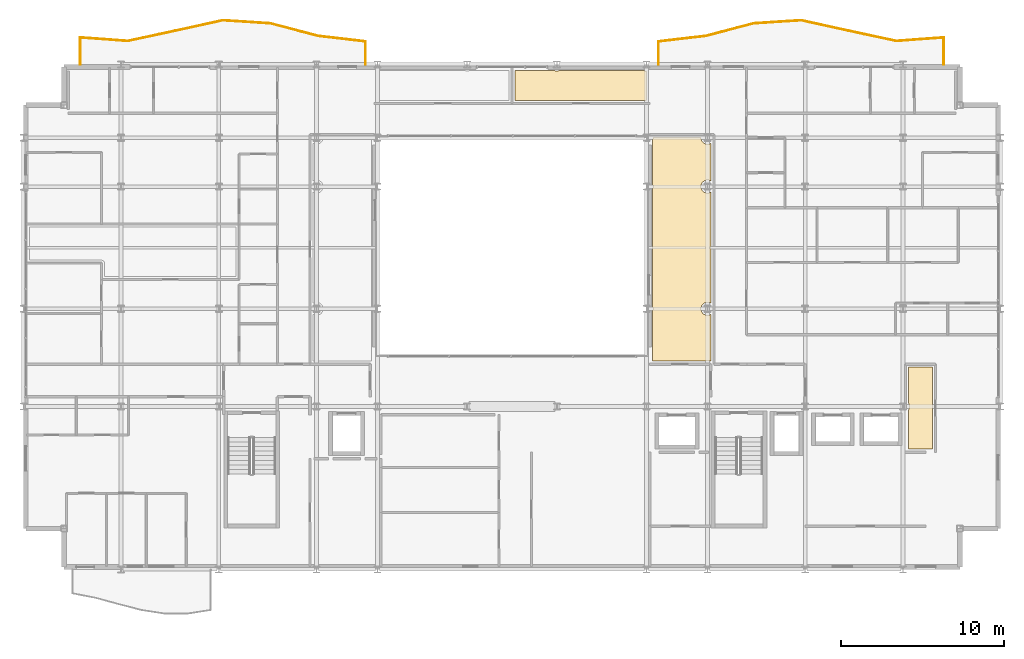
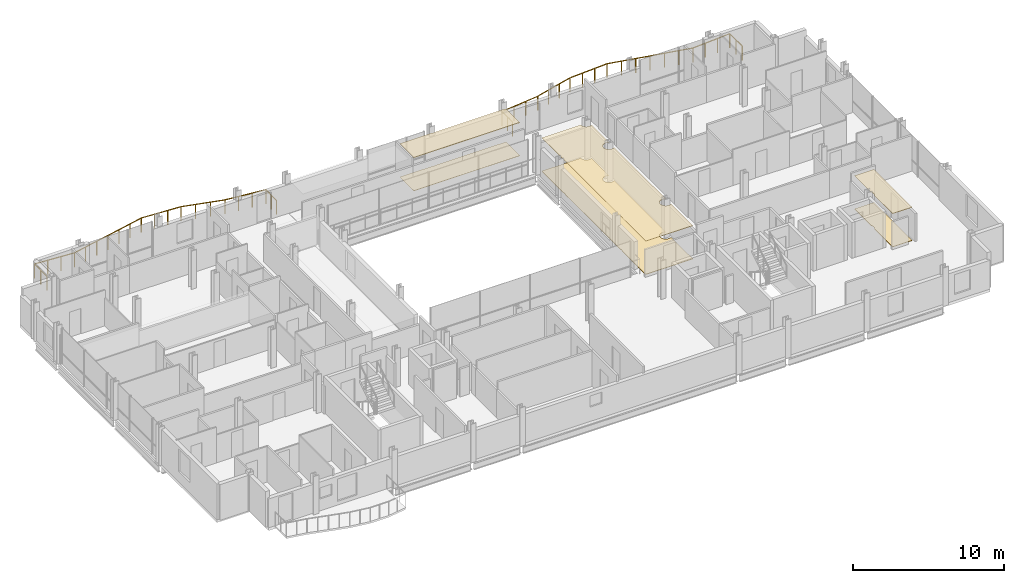
# One storey, part 41 of 41: 6 coverings, 2 railings.
"""IFC4 building model written with IfcOpenShell, lengths in metres."""

from ifc_helpers import new_model, si_unit, direction, frame, origin, origin_2d, place, context, subcontext, project, spatial, polyline, circle, outline, extrude, material, layer, layer_set, type_object, element, save


model = new_model("IFC4")

# Units and contexts
model_context = context("Model", 3, precision=1e-05, world=origin(), true_north=direction((0.0, 1.0)))
body_context = subcontext(model_context, "Body", "Model", "MODEL_VIEW")
ifc_project = project(units=[si_unit("LENGTHUNIT", "METRE"), si_unit("AREAUNIT", "SQUARE_METRE"), si_unit("VOLUMEUNIT", "CUBIC_METRE"), si_unit("PLANEANGLEUNIT", "RADIAN"), si_unit("MASSUNIT", "GRAM", prefix="KILO")], contexts=[model_context])

# Site, building, storey
site_placement = place(None, origin())
site = spatial("IfcSite", under=ifc_project, at=site_placement, CompositionType="ELEMENT")
building_placement = place(site_placement, origin())
building = spatial("IfcBuilding", under=site, at=building_placement, Name="Brevholm Reach", CompositionType="ELEMENT")
storey_placement = place(building_placement, frame((0.0, 0.0, 163.5)))
storey = spatial("IfcBuildingStorey", under=building, at=storey_placement, Name="L49", CompositionType="ELEMENT", Elevation=163.5)

# Coverings
ifc_material_1 = material(Name="Perforated Mineral-Fibre Class-A Acoustic Suspended Ceiling", Category="gypsum")
ifc_layer_1 = layer(ifc_material_1, 0.044921875)
ifc_layer_set_1 = layer_set([ifc_layer_1], Name="Perforated Mineral-Fibre Class-A Acoustic Suspended Ceiling")
covering_type_1 = type_object("IfcCoveringType", Name="COV-CLG-AC", PredefinedType="CEILING", material=ifc_layer_set_1)
covering_1_placement = place(storey_placement, frame((0.0, 0.0, 2.6650390625)))
element("IfcCovering", 1, at=covering_1_placement, inside=storey, type_object=covering_type_1, Name="L49 Suspended Ceiling L49-61", PredefinedType="CEILING", context=body_context, shape_type="SweptSolid", body=[
    extrude(outline(polyline([(32.626220703125, 30.6201171875), (32.6337890625, 30.6171875), (32.672119140625, 30.607666015625), (32.710693359375, 30.601806640625), (32.75, 30.60009765625), (32.789306640625, 30.601806640625), (32.827880859375, 30.607666015625), (32.8662109375, 30.6171875), (32.873779296875, 30.6201171875), (38.126220703125, 30.6201171875), (38.1337890625, 30.6171875), (38.172119140625, 30.607666015625), (38.210693359375, 30.601806640625), (38.25, 30.60009765625), (38.26611328125, 30.600830078125), (38.26611328125, 28.783935546875), (30.18408203125, 28.783935546875), (30.18408203125, 30.6201171875), (32.626220703125, 30.6201171875)])), origin(), (0.0, 0.0, 1.0), 0.044921875),
])
ifc_material_2 = material(Name="Moisture-Resistant Skimmed Gypsum Plasterboard Ceiling", Category="gypsum")
ifc_layer_2 = layer(ifc_material_2, 0.030029296875)
ifc_layer_set_2 = layer_set([ifc_layer_2], Name="Moisture-Resistant Skimmed Gypsum Plasterboard Ceiling")
covering_type_2 = type_object("IfcCoveringType", Name="COV-CLG-GYP", PredefinedType="CEILING", material=ifc_layer_set_2)
covering_2_placement = place(storey_placement, frame((0.0, 0.0, 2.679931640625)))
element("IfcCovering", 2, at=covering_2_placement, inside=storey, type_object=covering_type_2, Name="L49 Suspended Ceiling L49-22", PredefinedType="CEILING", context=body_context, shape_type="SweptSolid", body=[
    extrude(outline(polyline([(54.330078125, 9.7626953125), (54.33056640625, 9.764892578125), (54.33251953125, 9.777587890625), (54.33251953125, 9.77783203125), (54.352783203125, 9.811279296875), (54.36962890625, 9.846923828125), (54.3828125, 9.8837890625), (54.392333984375, 9.922119140625), (54.398193359375, 9.960693359375), (54.39990234375, 10.0), (54.398193359375, 10.039306640625), (54.392333984375, 10.077880859375), (54.3828125, 10.1162109375), (54.36962890625, 10.153076171875), (54.352783203125, 10.188720703125), (54.333984375, 10.219970703125), (54.333984375, 12.419921875), (55.81591796875, 12.419921875), (55.81591796875, 7.3798828125), (55.437255859375, 7.3798828125), (55.43505859375, 7.380615234375), (55.41748046875, 7.383056640625), (55.39990234375, 7.384033203125), (54.330078125, 7.384033203125), (54.330078125, 9.7626953125)])), origin(), (0.0, 0.0, 1.0), 0.030029296875),
])
covering_3_placement = place(storey_placement, frame((0.0, 0.0, 2.679931640625)))
element("IfcCovering", 3, at=covering_3_placement, inside=storey, type_object=covering_type_2, Name="L49 Suspended Ceiling L49-56", PredefinedType="CEILING", context=body_context, shape_type="SweptSolid", body=[
    extrude(outline(polyline([(38.6298828125, 15.876220703125), (38.6328125, 15.8837890625), (38.642333984375, 15.922119140625), (38.648193359375, 15.960693359375), (38.64990234375, 16.0), (38.648193359375, 16.039306640625), (38.642333984375, 16.077880859375), (38.6328125, 16.1162109375), (38.6298828125, 16.123779296875), (38.6298828125, 23.376220703125), (38.6328125, 23.3837890625), (38.642333984375, 23.422119140625), (38.648193359375, 23.460693359375), (38.64990234375, 23.5), (38.648193359375, 23.539306640625), (38.642333984375, 23.577880859375), (38.6328125, 23.6162109375), (38.6298828125, 23.623779296875), (38.6298828125, 26.376220703125), (38.6328125, 26.3837890625), (38.642333984375, 26.422119140625), (38.648193359375, 26.460693359375), (38.64990234375, 26.5), (38.649169921875, 26.51611328125), (41.600830078125, 26.51611328125), (41.60009765625, 26.5), (41.601806640625, 26.460693359375), (41.607666015625, 26.422119140625), (41.6171875, 26.3837890625), (41.63037109375, 26.346923828125), (41.647216796875, 26.311279296875), (41.66748046875, 26.27783203125), (41.69091796875, 26.24609375), (41.71728515625, 26.21728515625), (41.74609375, 26.19091796875), (41.77783203125, 26.16748046875), (41.811279296875, 26.147216796875), (41.846923828125, 26.13037109375), (41.8837890625, 26.1171875), (41.922119140625, 26.107666015625), (41.960693359375, 26.101806640625), (42.0, 26.10009765625), (42.039306640625, 26.101806640625), (42.077880859375, 26.107666015625), (42.1162109375, 26.1171875), (42.153076171875, 26.13037109375), (42.188720703125, 26.147216796875), (42.216064453125, 26.163818359375), (42.216064453125, 23.836181640625), (42.188720703125, 23.852783203125), (42.153076171875, 23.86962890625), (42.1162109375, 23.8828125), (42.077880859375, 23.892333984375), (42.039306640625, 23.898193359375), (42.0, 23.89990234375), (41.960693359375, 23.898193359375), (41.922119140625, 23.892333984375), (41.8837890625, 23.8828125), (41.846923828125, 23.86962890625), (41.811279296875, 23.852783203125), (41.77783203125, 23.83251953125), (41.74609375, 23.80908203125), (41.71728515625, 23.78271484375), (41.69091796875, 23.75390625), (41.66748046875, 23.72216796875), (41.647216796875, 23.688720703125), (41.63037109375, 23.653076171875), (41.6171875, 23.6162109375), (41.607666015625, 23.577880859375), (41.601806640625, 23.539306640625), (41.60009765625, 23.5), (41.601806640625, 23.460693359375), (41.607666015625, 23.422119140625), (41.6171875, 23.3837890625), (41.63037109375, 23.346923828125), (41.647216796875, 23.311279296875), (41.66748046875, 23.27783203125), (41.69091796875, 23.24609375), (41.71728515625, 23.21728515625), (41.74609375, 23.19091796875), (41.77783203125, 23.16748046875), (41.811279296875, 23.147216796875), (41.846923828125, 23.13037109375), (41.8837890625, 23.1171875), (41.922119140625, 23.107666015625), (41.960693359375, 23.101806640625), (42.0, 23.10009765625), (42.039306640625, 23.101806640625), (42.077880859375, 23.107666015625), (42.1162109375, 23.1171875), (42.153076171875, 23.13037109375), (42.188720703125, 23.147216796875), (42.216064453125, 23.163818359375), (42.216064453125, 16.336181640625), (42.188720703125, 16.352783203125), (42.153076171875, 16.36962890625), (42.1162109375, 16.3828125), (42.077880859375, 16.392333984375), (42.039306640625, 16.398193359375), (42.0, 16.39990234375), (41.960693359375, 16.398193359375), (41.922119140625, 16.392333984375), (41.8837890625, 16.3828125), (41.846923828125, 16.36962890625), (41.811279296875, 16.352783203125), (41.77783203125, 16.33251953125), (41.74609375, 16.30908203125), (41.71728515625, 16.28271484375), (41.69091796875, 16.25390625), (41.66748046875, 16.22216796875), (41.647216796875, 16.188720703125), (41.63037109375, 16.153076171875), (41.6171875, 16.1162109375), (41.607666015625, 16.077880859375), (41.601806640625, 16.039306640625), (41.60009765625, 16.0), (41.601806640625, 15.960693359375), (41.607666015625, 15.922119140625), (41.6171875, 15.8837890625), (41.63037109375, 15.846923828125), (41.647216796875, 15.811279296875), (41.66748046875, 15.77783203125), (41.69091796875, 15.74609375), (41.71728515625, 15.71728515625), (41.74609375, 15.69091796875), (41.77783203125, 15.66748046875), (41.811279296875, 15.647216796875), (41.846923828125, 15.63037109375), (41.8837890625, 15.6171875), (41.922119140625, 15.607666015625), (41.960693359375, 15.601806640625), (42.0, 15.60009765625), (42.039306640625, 15.601806640625), (42.077880859375, 15.607666015625), (42.1162109375, 15.6171875), (42.153076171875, 15.63037109375), (42.188720703125, 15.647216796875), (42.216064453125, 15.663818359375), (42.216064453125, 12.783935546875), (38.6298828125, 12.783935546875), (38.6298828125, 15.876220703125)])), origin(), (0.0, 0.0, 1.0), 0.030029296875),
])
ifc_material_3 = material(Name="Engineered European Oak Acoustic Plank Flooring", Category="timber")
ifc_layer_3 = layer(ifc_material_3, 0.02197265625)
ifc_layer_set_3 = layer_set([ifc_layer_3], Name="Engineered European Oak Acoustic Plank Flooring")
covering_type_3 = type_object("IfcCoveringType", Name="COV-FLR-OAK", PredefinedType="FLOORING", material=ifc_layer_set_3)
covering_4_placement = place(storey_placement, origin())
element("IfcCovering", 4, at=covering_4_placement, inside=storey, type_object=covering_type_3, Name="L49 Floor Finish L49-61", PredefinedType="FLOORING", context=body_context, shape_type="SweptSolid", body=[
    extrude(outline(polyline([(32.626220703125, 30.6201171875), (32.6337890625, 30.6171875), (32.672119140625, 30.607666015625), (32.710693359375, 30.601806640625), (32.75, 30.60009765625), (32.789306640625, 30.601806640625), (32.827880859375, 30.607666015625), (32.8662109375, 30.6171875), (32.873779296875, 30.6201171875), (38.126220703125, 30.6201171875), (38.1337890625, 30.6171875), (38.172119140625, 30.607666015625), (38.210693359375, 30.601806640625), (38.25, 30.60009765625), (38.26611328125, 30.600830078125), (38.26611328125, 28.783935546875), (30.18408203125, 28.783935546875), (30.18408203125, 30.6201171875), (32.626220703125, 30.6201171875)])), origin(), (0.0, 0.0, 1.0), 0.02197265625),
])
ifc_material_4 = material(Name="Honed Portland-Aggregate Resin Terrazzo Flooring", Category="concrete")
ifc_layer_4 = layer(ifc_material_4, 0.031982421875)
ifc_layer_set_4 = layer_set([ifc_layer_4], Name="Honed Portland-Aggregate Resin Terrazzo Flooring")
covering_type_4 = type_object("IfcCoveringType", Name="COV-FLR-TRZ", PredefinedType="FLOORING", material=ifc_layer_set_4)
covering_5_placement = place(storey_placement, origin())
element("IfcCovering", 5, at=covering_5_placement, inside=storey, type_object=covering_type_4, Name="L49 Floor Finish L49-22", PredefinedType="FLOORING", context=body_context, shape_type="SweptSolid", body=[
    extrude(outline(polyline([(54.330078125, 9.7626953125), (54.33056640625, 9.764892578125), (54.33251953125, 9.777587890625), (54.33251953125, 9.77783203125), (54.352783203125, 9.811279296875), (54.36962890625, 9.846923828125), (54.3828125, 9.8837890625), (54.392333984375, 9.922119140625), (54.398193359375, 9.960693359375), (54.39990234375, 10.0), (54.398193359375, 10.039306640625), (54.392333984375, 10.077880859375), (54.3828125, 10.1162109375), (54.36962890625, 10.153076171875), (54.352783203125, 10.188720703125), (54.333984375, 10.219970703125), (54.333984375, 12.419921875), (55.81591796875, 12.419921875), (55.81591796875, 7.3798828125), (55.437255859375, 7.3798828125), (55.43505859375, 7.380615234375), (55.41748046875, 7.383056640625), (55.39990234375, 7.384033203125), (54.330078125, 7.384033203125), (54.330078125, 9.7626953125)])), origin(), (0.0, 0.0, 1.0), 0.031982421875),
])
covering_6_placement = place(storey_placement, origin())
element("IfcCovering", 6, at=covering_6_placement, inside=storey, type_object=covering_type_4, Name="L49 Floor Finish L49-56", PredefinedType="FLOORING", context=body_context, shape_type="SweptSolid", body=[
    extrude(outline(polyline([(38.6298828125, 15.876220703125), (38.6328125, 15.8837890625), (38.642333984375, 15.922119140625), (38.648193359375, 15.960693359375), (38.64990234375, 16.0), (38.648193359375, 16.039306640625), (38.642333984375, 16.077880859375), (38.6328125, 16.1162109375), (38.6298828125, 16.123779296875), (38.6298828125, 23.376220703125), (38.6328125, 23.3837890625), (38.642333984375, 23.422119140625), (38.648193359375, 23.460693359375), (38.64990234375, 23.5), (38.648193359375, 23.539306640625), (38.642333984375, 23.577880859375), (38.6328125, 23.6162109375), (38.6298828125, 23.623779296875), (38.6298828125, 26.376220703125), (38.6328125, 26.3837890625), (38.642333984375, 26.422119140625), (38.648193359375, 26.460693359375), (38.64990234375, 26.5), (38.649169921875, 26.51611328125), (41.600830078125, 26.51611328125), (41.60009765625, 26.5), (41.601806640625, 26.460693359375), (41.607666015625, 26.422119140625), (41.6171875, 26.3837890625), (41.63037109375, 26.346923828125), (41.647216796875, 26.311279296875), (41.66748046875, 26.27783203125), (41.69091796875, 26.24609375), (41.71728515625, 26.21728515625), (41.74609375, 26.19091796875), (41.77783203125, 26.16748046875), (41.811279296875, 26.147216796875), (41.846923828125, 26.13037109375), (41.8837890625, 26.1171875), (41.922119140625, 26.107666015625), (41.960693359375, 26.101806640625), (42.0, 26.10009765625), (42.039306640625, 26.101806640625), (42.077880859375, 26.107666015625), (42.1162109375, 26.1171875), (42.153076171875, 26.13037109375), (42.188720703125, 26.147216796875), (42.216064453125, 26.163818359375), (42.216064453125, 23.836181640625), (42.188720703125, 23.852783203125), (42.153076171875, 23.86962890625), (42.1162109375, 23.8828125), (42.077880859375, 23.892333984375), (42.039306640625, 23.898193359375), (42.0, 23.89990234375), (41.960693359375, 23.898193359375), (41.922119140625, 23.892333984375), (41.8837890625, 23.8828125), (41.846923828125, 23.86962890625), (41.811279296875, 23.852783203125), (41.77783203125, 23.83251953125), (41.74609375, 23.80908203125), (41.71728515625, 23.78271484375), (41.69091796875, 23.75390625), (41.66748046875, 23.72216796875), (41.647216796875, 23.688720703125), (41.63037109375, 23.653076171875), (41.6171875, 23.6162109375), (41.607666015625, 23.577880859375), (41.601806640625, 23.539306640625), (41.60009765625, 23.5), (41.601806640625, 23.460693359375), (41.607666015625, 23.422119140625), (41.6171875, 23.3837890625), (41.63037109375, 23.346923828125), (41.647216796875, 23.311279296875), (41.66748046875, 23.27783203125), (41.69091796875, 23.24609375), (41.71728515625, 23.21728515625), (41.74609375, 23.19091796875), (41.77783203125, 23.16748046875), (41.811279296875, 23.147216796875), (41.846923828125, 23.13037109375), (41.8837890625, 23.1171875), (41.922119140625, 23.107666015625), (41.960693359375, 23.101806640625), (42.0, 23.10009765625), (42.039306640625, 23.101806640625), (42.077880859375, 23.107666015625), (42.1162109375, 23.1171875), (42.153076171875, 23.13037109375), (42.188720703125, 23.147216796875), (42.216064453125, 23.163818359375), (42.216064453125, 16.336181640625), (42.188720703125, 16.352783203125), (42.153076171875, 16.36962890625), (42.1162109375, 16.3828125), (42.077880859375, 16.392333984375), (42.039306640625, 16.398193359375), (42.0, 16.39990234375), (41.960693359375, 16.398193359375), (41.922119140625, 16.392333984375), (41.8837890625, 16.3828125), (41.846923828125, 16.36962890625), (41.811279296875, 16.352783203125), (41.77783203125, 16.33251953125), (41.74609375, 16.30908203125), (41.71728515625, 16.28271484375), (41.69091796875, 16.25390625), (41.66748046875, 16.22216796875), (41.647216796875, 16.188720703125), (41.63037109375, 16.153076171875), (41.6171875, 16.1162109375), (41.607666015625, 16.077880859375), (41.601806640625, 16.039306640625), (41.60009765625, 16.0), (41.601806640625, 15.960693359375), (41.607666015625, 15.922119140625), (41.6171875, 15.8837890625), (41.63037109375, 15.846923828125), (41.647216796875, 15.811279296875), (41.66748046875, 15.77783203125), (41.69091796875, 15.74609375), (41.71728515625, 15.71728515625), (41.74609375, 15.69091796875), (41.77783203125, 15.66748046875), (41.811279296875, 15.647216796875), (41.846923828125, 15.63037109375), (41.8837890625, 15.6171875), (41.922119140625, 15.607666015625), (41.960693359375, 15.601806640625), (42.0, 15.60009765625), (42.039306640625, 15.601806640625), (42.077880859375, 15.607666015625), (42.1162109375, 15.6171875), (42.153076171875, 15.63037109375), (42.188720703125, 15.647216796875), (42.216064453125, 15.663818359375), (42.216064453125, 12.783935546875), (38.6298828125, 12.783935546875), (38.6298828125, 15.876220703125)])), origin(), (0.0, 0.0, 1.0), 0.031982421875),
])

# Railings
ifc_material_5 = material(Name="Brushed Stainless Steel EN 1.4401 and Laminated Glass", Category="steel")
railing_type = type_object("IfcRailingType", Name="RAL-BALC-1150", PredefinedType="BALUSTRADE", material=ifc_material_5)
railing_1_placement = place(storey_placement, frame((56.5, 31.0, 0.0)))
element("IfcRailing", 7, at=railing_1_placement, inside=storey, type_object=railing_type, Name="L49 Guard Balustrade RAL-L49-BAL-NE", PredefinedType="BALUSTRADE", context=body_context, shape_type="SweptSolid", body=[
    extrude(circle(Radius=0.02392578125, at=origin_2d()), frame((0.0, 0.0, 1.1259765625), z_axis=(0.0, 1.0, 0.0), x_axis=(-1.0, 0.0, 0.0)), (0.0, 0.0, 1.0), 1.650146484375),
    extrude(circle(Radius=0.02392578125, at=origin_2d()), frame((0.0, 1.650146484375, 1.1259765625), z_axis=(-0.997334760815, -0.072961461535, 0.0), x_axis=(0.072961461535, -0.997334760815, 0.0)), (0.0, 0.0, 1.0), 2.924560546875),
    extrude(circle(Radius=0.02392578125, at=origin_2d()), frame((-2.916748046875, 1.436767578125, 1.1259765625), z_axis=(-0.977699293222, 0.21000974271, 0.0), x_axis=(-0.21000974271, -0.977699293222, 0.0)), (0.0, 0.0, 1.0), 2.98291015625),
    extrude(circle(Radius=0.02392578125, at=origin_2d()), frame((-5.833251953125, 2.063232421875, 1.1259765625), z_axis=(-0.976633143635, 0.214913244715, 0.0), x_axis=(-0.214913244715, -0.976633143635, 0.0)), (0.0, 0.0, 1.0), 2.986572265625),
    extrude(circle(Radius=0.02392578125, at=origin_2d()), frame((-8.75, 2.705078125, 1.1259765625), z_axis=(-0.997945514781, -0.06406831923, 0.0), x_axis=(0.06406831923, -0.997945514781, 0.0)), (0.0, 0.0, 1.0), 2.9228515625),
    extrude(circle(Radius=0.02392578125, at=origin_2d()), frame((-11.666748046875, 2.517822265625, 1.1259765625), z_axis=(-0.966868735292, -0.255274065889, 0.0), x_axis=(0.255274065889, -0.966868735292, 0.0)), (0.0, 0.0, 1.0), 3.016357421875),
    extrude(circle(Radius=0.02392578125, at=origin_2d()), frame((-14.583251953125, 1.747802734375, 1.1259765625), z_axis=(-0.99329006652, -0.11564965954, 0.0), x_axis=(0.11564965954, -0.99329006652, 0.0)), (0.0, 0.0, 1.0), 2.9365234375),
    extrude(circle(Radius=0.02392578125, at=origin_2d()), frame((-17.5, 1.408203125, 1.1259765625), z_axis=(0.0, -1.0, 0.0), x_axis=(1.0, 0.0, 0.0)), (0.0, 0.0, 1.0), 1.408203125),
    extrude(circle(Radius=0.02099609375, at=origin_2d()), origin(), (0.0, 0.0, 1.0), 1.101806640625),
    extrude(circle(Radius=0.02099609375, at=origin_2d()), frame((0.0, 0.8251953125, 0.0)), (0.0, 0.0, 1.0), 1.101806640625),
    extrude(circle(Radius=0.02099609375, at=origin_2d()), frame((0.0, 1.650146484375, 0.0)), (0.0, 0.0, 1.0), 1.101806640625),
    extrude(circle(Radius=0.02099609375, at=origin_2d()), frame((-0.97216796875, 1.5791015625, 0.0)), (0.0, 0.0, 1.0), 1.101806640625),
    extrude(circle(Radius=0.02099609375, at=origin_2d()), frame((-1.944580078125, 1.5078125, 0.0)), (0.0, 0.0, 1.0), 1.101806640625),
    extrude(circle(Radius=0.02099609375, at=origin_2d()), frame((-2.916748046875, 1.436767578125, 0.0)), (0.0, 0.0, 1.0), 1.101806640625),
    extrude(circle(Radius=0.02099609375, at=origin_2d()), frame((-3.888916015625, 1.6455078125, 0.0)), (0.0, 0.0, 1.0), 1.101806640625),
    extrude(circle(Radius=0.02099609375, at=origin_2d()), frame((-4.861083984375, 1.8544921875, 0.0)), (0.0, 0.0, 1.0), 1.101806640625),
    extrude(circle(Radius=0.02099609375, at=origin_2d()), frame((-5.833251953125, 2.063232421875, 0.0)), (0.0, 0.0, 1.0), 1.101806640625),
    extrude(circle(Radius=0.02099609375, at=origin_2d()), frame((-6.805419921875, 2.277099609375, 0.0)), (0.0, 0.0, 1.0), 1.101806640625),
    extrude(circle(Radius=0.02099609375, at=origin_2d()), frame((-7.77783203125, 2.4912109375, 0.0)), (0.0, 0.0, 1.0), 1.101806640625),
    extrude(circle(Radius=0.02099609375, at=origin_2d()), frame((-8.75, 2.705078125, 0.0)), (0.0, 0.0, 1.0), 1.101806640625),
    extrude(circle(Radius=0.02099609375, at=origin_2d()), frame((-9.72216796875, 2.642578125, 0.0)), (0.0, 0.0, 1.0), 1.101806640625),
    extrude(circle(Radius=0.02099609375, at=origin_2d()), frame((-10.694580078125, 2.580322265625, 0.0)), (0.0, 0.0, 1.0), 1.101806640625),
    extrude(circle(Radius=0.02099609375, at=origin_2d()), frame((-11.666748046875, 2.517822265625, 0.0)), (0.0, 0.0, 1.0), 1.101806640625),
    extrude(circle(Radius=0.02099609375, at=origin_2d()), frame((-12.638916015625, 2.26123046875, 0.0)), (0.0, 0.0, 1.0), 1.101806640625),
    extrude(circle(Radius=0.02099609375, at=origin_2d()), frame((-13.611083984375, 2.00439453125, 0.0)), (0.0, 0.0, 1.0), 1.101806640625),
    extrude(circle(Radius=0.02099609375, at=origin_2d()), frame((-14.583251953125, 1.747802734375, 0.0)), (0.0, 0.0, 1.0), 1.101806640625),
    extrude(circle(Radius=0.02099609375, at=origin_2d()), frame((-15.555419921875, 1.634521484375, 0.0)), (0.0, 0.0, 1.0), 1.101806640625),
    extrude(circle(Radius=0.02099609375, at=origin_2d()), frame((-16.52783203125, 1.521484375, 0.0)), (0.0, 0.0, 1.0), 1.101806640625),
    extrude(circle(Radius=0.02099609375, at=origin_2d()), frame((-17.5, 1.408203125, 0.0)), (0.0, 0.0, 1.0), 1.101806640625),
    extrude(circle(Radius=0.02099609375, at=origin_2d()), frame((-17.5, 0.7041015625, 0.0)), (0.0, 0.0, 1.0), 1.101806640625),
    extrude(circle(Radius=0.02099609375, at=origin_2d()), frame((-17.5, 0.0, 0.0)), (0.0, 0.0, 1.0), 1.101806640625),
])
railing_2_placement = place(storey_placement, frame((21.0, 31.0, 0.0)))
element("IfcRailing", 8, at=railing_2_placement, inside=storey, type_object=railing_type, Name="L49 Guard Balustrade RAL-L49-BAL-NW", PredefinedType="BALUSTRADE", context=body_context, shape_type="SweptSolid", body=[
    extrude(circle(Radius=0.02392578125, at=origin_2d()), frame((0.0, 0.0, 1.1259765625), z_axis=(0.0, 1.0, 0.0), x_axis=(-1.0, 0.0, 0.0)), (0.0, 0.0, 1.0), 1.408203125),
    extrude(circle(Radius=0.02392578125, at=origin_2d()), frame((0.0, 1.408203125, 1.1259765625), z_axis=(-0.99329006652, 0.11564965954, 0.0), x_axis=(-0.11564965954, -0.99329006652, 0.0)), (0.0, 0.0, 1.0), 2.9365234375),
    extrude(circle(Radius=0.02392578125, at=origin_2d()), frame((-2.916748046875, 1.747802734375, 1.1259765625), z_axis=(-0.966868735292, 0.255274065889, 0.0), x_axis=(-0.255274065889, -0.966868735292, 0.0)), (0.0, 0.0, 1.0), 3.016357421875),
    extrude(circle(Radius=0.02392578125, at=origin_2d()), frame((-5.833251953125, 2.517822265625, 1.1259765625), z_axis=(-0.997945514781, 0.06406831923, 0.0), x_axis=(-0.06406831923, -0.997945514781, 0.0)), (0.0, 0.0, 1.0), 2.9228515625),
    extrude(circle(Radius=0.02392578125, at=origin_2d()), frame((-8.75, 2.705078125, 1.1259765625), z_axis=(-0.976633143635, -0.214913244715, 0.0), x_axis=(0.214913244715, -0.976633143635, 0.0)), (0.0, 0.0, 1.0), 2.986572265625),
    extrude(circle(Radius=0.02392578125, at=origin_2d()), frame((-11.666748046875, 2.063232421875, 1.1259765625), z_axis=(-0.977699293222, -0.21000974271, 0.0), x_axis=(0.21000974271, -0.977699293222, 0.0)), (0.0, 0.0, 1.0), 2.98291015625),
    extrude(circle(Radius=0.02392578125, at=origin_2d()), frame((-14.583251953125, 1.436767578125, 1.1259765625), z_axis=(-0.997334760815, 0.072961461535, 0.0), x_axis=(-0.072961461535, -0.997334760815, 0.0)), (0.0, 0.0, 1.0), 2.924560546875),
    extrude(circle(Radius=0.02392578125, at=origin_2d()), frame((-17.5, 1.650146484375, 1.1259765625), z_axis=(0.0, -1.0, 0.0), x_axis=(1.0, 0.0, 0.0)), (0.0, 0.0, 1.0), 1.650146484375),
    extrude(circle(Radius=0.02099609375, at=origin_2d()), origin(), (0.0, 0.0, 1.0), 1.101806640625),
    extrude(circle(Radius=0.02099609375, at=origin_2d()), frame((0.0, 0.7041015625, 0.0)), (0.0, 0.0, 1.0), 1.101806640625),
    extrude(circle(Radius=0.02099609375, at=origin_2d()), frame((0.0, 1.408203125, 0.0)), (0.0, 0.0, 1.0), 1.101806640625),
    extrude(circle(Radius=0.02099609375, at=origin_2d()), frame((-0.97216796875, 1.521484375, 0.0)), (0.0, 0.0, 1.0), 1.101806640625),
    extrude(circle(Radius=0.02099609375, at=origin_2d()), frame((-1.944580078125, 1.634521484375, 0.0)), (0.0, 0.0, 1.0), 1.101806640625),
    extrude(circle(Radius=0.02099609375, at=origin_2d()), frame((-2.916748046875, 1.747802734375, 0.0)), (0.0, 0.0, 1.0), 1.101806640625),
    extrude(circle(Radius=0.02099609375, at=origin_2d()), frame((-3.888916015625, 2.00439453125, 0.0)), (0.0, 0.0, 1.0), 1.101806640625),
    extrude(circle(Radius=0.02099609375, at=origin_2d()), frame((-4.861083984375, 2.26123046875, 0.0)), (0.0, 0.0, 1.0), 1.101806640625),
    extrude(circle(Radius=0.02099609375, at=origin_2d()), frame((-5.833251953125, 2.517822265625, 0.0)), (0.0, 0.0, 1.0), 1.101806640625),
    extrude(circle(Radius=0.02099609375, at=origin_2d()), frame((-6.805419921875, 2.580322265625, 0.0)), (0.0, 0.0, 1.0), 1.101806640625),
    extrude(circle(Radius=0.02099609375, at=origin_2d()), frame((-7.77783203125, 2.642578125, 0.0)), (0.0, 0.0, 1.0), 1.101806640625),
    extrude(circle(Radius=0.02099609375, at=origin_2d()), frame((-8.75, 2.705078125, 0.0)), (0.0, 0.0, 1.0), 1.101806640625),
    extrude(circle(Radius=0.02099609375, at=origin_2d()), frame((-9.72216796875, 2.4912109375, 0.0)), (0.0, 0.0, 1.0), 1.101806640625),
    extrude(circle(Radius=0.02099609375, at=origin_2d()), frame((-10.694580078125, 2.277099609375, 0.0)), (0.0, 0.0, 1.0), 1.101806640625),
    extrude(circle(Radius=0.02099609375, at=origin_2d()), frame((-11.666748046875, 2.063232421875, 0.0)), (0.0, 0.0, 1.0), 1.101806640625),
    extrude(circle(Radius=0.02099609375, at=origin_2d()), frame((-12.638916015625, 1.8544921875, 0.0)), (0.0, 0.0, 1.0), 1.101806640625),
    extrude(circle(Radius=0.02099609375, at=origin_2d()), frame((-13.611083984375, 1.6455078125, 0.0)), (0.0, 0.0, 1.0), 1.101806640625),
    extrude(circle(Radius=0.02099609375, at=origin_2d()), frame((-14.583251953125, 1.436767578125, 0.0)), (0.0, 0.0, 1.0), 1.101806640625),
    extrude(circle(Radius=0.02099609375, at=origin_2d()), frame((-15.555419921875, 1.5078125, 0.0)), (0.0, 0.0, 1.0), 1.101806640625),
    extrude(circle(Radius=0.02099609375, at=origin_2d()), frame((-16.52783203125, 1.5791015625, 0.0)), (0.0, 0.0, 1.0), 1.101806640625),
    extrude(circle(Radius=0.02099609375, at=origin_2d()), frame((-17.5, 1.650146484375, 0.0)), (0.0, 0.0, 1.0), 1.101806640625),
    extrude(circle(Radius=0.02099609375, at=origin_2d()), frame((-17.5, 0.8251953125, 0.0)), (0.0, 0.0, 1.0), 1.101806640625),
    extrude(circle(Radius=0.02099609375, at=origin_2d()), frame((-17.5, 0.0, 0.0)), (0.0, 0.0, 1.0), 1.101806640625),
])

save(model, "model.ifc")
